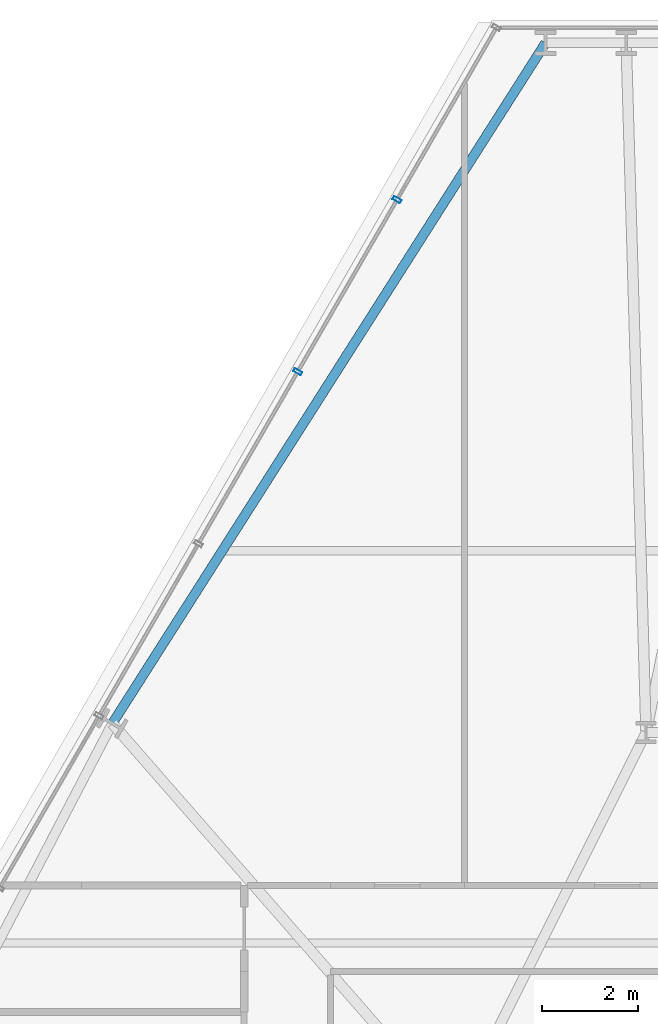
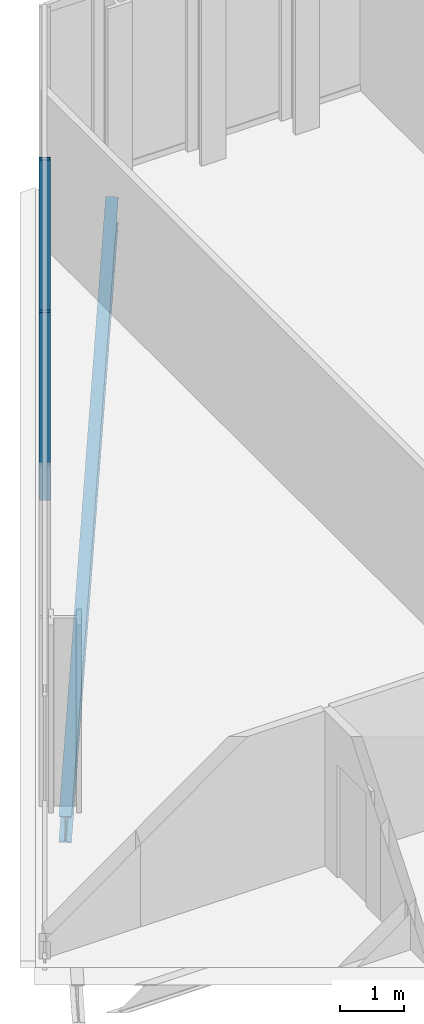
# One storey, part 22 of 32: 2 members, 1 beam, 1 element without a shape of its own.
"""IFC4 building model written with IfcOpenShell, lengths in metres."""

from ifc_helpers import new_model, si_unit, direction, frame, origin, origin_2d, place, context, subcontext, project, spatial, hollow_rectangle, i_section, extrude, material, layer, layer_set, material_profile, profile_set, type_object, element, aggregate, save


model = new_model("IFC4")

# Units and contexts
model_context = context("Model", 3, precision=1e-05, world=origin(), true_north=direction((0.0, 1.0)))
body_context = subcontext(model_context, "Body", "Model", "MODEL_VIEW")
ifc_project = project(units=[si_unit("LENGTHUNIT", "METRE"), si_unit("AREAUNIT", "SQUARE_METRE"), si_unit("VOLUMEUNIT", "CUBIC_METRE"), si_unit("PLANEANGLEUNIT", "RADIAN"), si_unit("MASSUNIT", "GRAM", prefix="KILO")], contexts=[model_context])

# Site, building, storey
site_placement = place(None, origin())
site = spatial("IfcSite", under=ifc_project, at=site_placement, CompositionType="ELEMENT")
building_placement = place(site_placement, origin())
building = spatial("IfcBuilding", under=site, at=building_placement, Name="Ndaravel Arena Tower", CompositionType="ELEMENT")
storey_placement = place(building_placement, frame((0.0, 0.0, 93.0)))
storey = spatial("IfcBuildingStorey", under=building, at=storey_placement, Name="L21", CompositionType="ELEMENT", Elevation=93.0)

# Beam
ifc_material_1 = material(Name="Steel S355", Category="steel")
ifc_material_profile_1 = material_profile(ifc_material_1, i_section(OverallWidth=0.199951171875, OverallDepth=0.5, WebThickness=0.01025390625, FlangeThickness=0.01611328125, FilletRadius=0.02099609375, at=origin_2d()), Name="IPE 500")
ifc_profile_set_1 = profile_set([ifc_material_profile_1], Name="Steel S355")
beam_type = type_object("IfcBeamType", Name="BM-SPAN-IPE500", PredefinedType="SPANDREL", material=ifc_profile_set_1)
beam_placement = place(storey_placement, frame((36.09912109375, 45.614013671875, -0.469970703125), z_axis=(-0.537017864552, -0.84357087026, 0.0), x_axis=(0.84357087026, -0.537017864552, 0.0)))
element("IfcBeam", 1, at=beam_placement, inside=storey, type_object=beam_type, Name="L21 Perimeter Spandrel Beam SP-18", PredefinedType="SPANDREL", context=body_context, shape_type="SweptSolid", body=[
    extrude(i_section(OverallWidth=0.199951171875, OverallDepth=0.5, WebThickness=0.01025390625, FlangeThickness=0.01611328125, FilletRadius=0.02099609375, at=origin_2d()), origin(), (0.0, 0.0, 1.0), 16.86474609375),
])

# Curtain wall, members
ifc_material_2 = material(Name="Aluminium", Category="aluminium")
ifc_layer = layer(ifc_material_2, 0.179931640625)
ifc_layer_set = layer_set([ifc_layer], Name="Aluminium")
curtain_wall_type = type_object("IfcCurtainWallType", Name="CW-SYS-03", PredefinedType="NOTDEFINED", material=ifc_layer_set)
curtain_wall_placement = place(storey_placement, origin())
curtain_wall = element("IfcCurtainWall", 2, at=curtain_wall_placement, inside=storey, type_object=curtain_wall_type, Name="L21 Faceted Crystal Curtain Wall CW-L21-E05", PredefinedType="NOTDEFINED")
ifc_material_3 = material(Name="Aluminium", Category="aluminium")
ifc_material_profile_2 = material_profile(ifc_material_3, hollow_rectangle(XDim=0.074951171875, YDim=0.179931640625, WallThickness=0.00390625, at=origin_2d()), Name="CW MULLION 75x180x4")
ifc_profile_set_2 = profile_set([ifc_material_profile_2], Name="Aluminium")
member_type = type_object("IfcMemberType", Name="MEM-CW-MUL180", PredefinedType="MULLION", material=ifc_profile_set_2)
member_1_placement = place(storey_placement, frame((32.994873046875, 42.33740234375, 0.0), z_axis=(0.0, 0.0, 1.0), x_axis=(-0.5, -0.866025403784, 0.0)))
member_1 = element("IfcMember", 3, at=member_1_placement, type_object=member_type, Name="CW-L21-E05 Mullion 01", PredefinedType="MULLION", context=body_context, shape_type="SweptSolid", body=[
    extrude(hollow_rectangle(XDim=0.074951171875, YDim=0.179931640625, WallThickness=0.00390625, at=origin_2d()), origin(), (0.0, 0.0, 1.0), 3.580078125),
])
member_2_placement = place(storey_placement, frame((30.918212890625, 38.74072265625, 0.0), z_axis=(0.0, 0.0, 1.0), x_axis=(-0.5, -0.866025403784, 0.0)))
member_2 = element("IfcMember", 4, at=member_2_placement, type_object=member_type, Name="CW-L21-E05 Mullion 02", PredefinedType="MULLION", context=body_context, shape_type="SweptSolid", body=[
    extrude(hollow_rectangle(XDim=0.074951171875, YDim=0.179931640625, WallThickness=0.00390625, at=origin_2d()), origin(), (0.0, 0.0, 1.0), 3.580078125),
])
aggregate(curtain_wall, [member_1, member_2])

save(model, "model.ifc")
